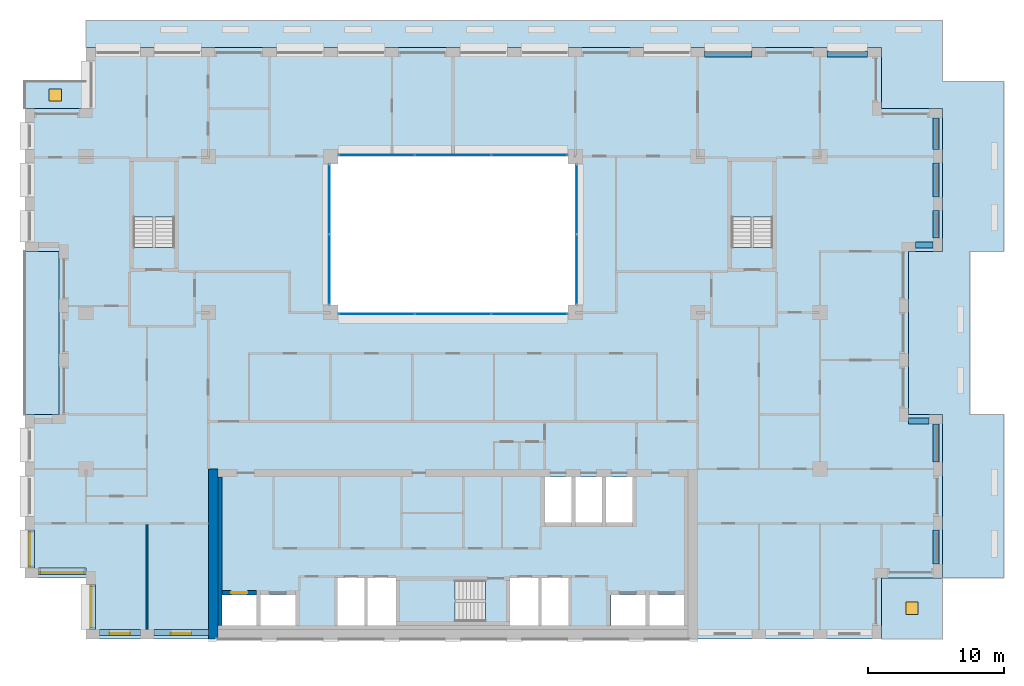
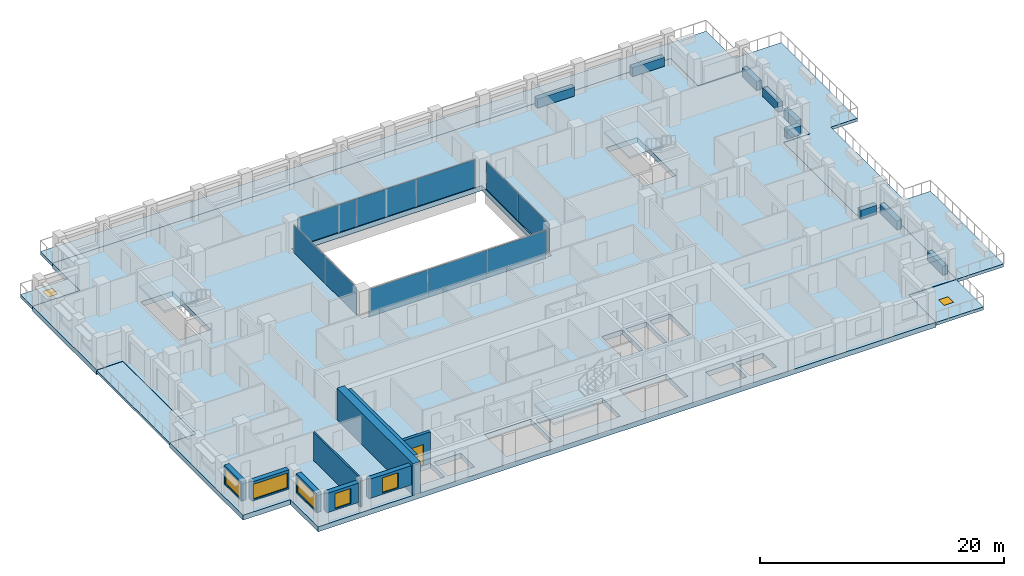
# One storey, part 7 of 17: 10 plates, 9 beams, 9 walls, 8 slabs, 7 windows, 1 door, 8 openings, 7 elements without a shape of their own.
"""IFC4 building model written with IfcOpenShell, lengths in metres."""

from ifc_helpers import new_model, si_unit, direction, frame, frame_2d, origin, origin_2d, place, context, subcontext, project, spatial, polyline, rectangle, outline, extrude, material, layer, layer_set, material_profile, profile_set, type_object, element, fill, aggregate, save


model = new_model("IFC4")

# Units and contexts
model_context = context("Model", 3, precision=1e-05, world=origin(), true_north=direction((0.0, 1.0)))
body_context = subcontext(model_context, "Body", "Model", "MODEL_VIEW")
ifc_project = project(units=[si_unit("LENGTHUNIT", "METRE"), si_unit("AREAUNIT", "SQUARE_METRE"), si_unit("VOLUMEUNIT", "CUBIC_METRE"), si_unit("PLANEANGLEUNIT", "RADIAN"), si_unit("MASSUNIT", "GRAM", prefix="KILO")], contexts=[model_context])

# Site, building, storey
site_placement = place(None, origin())
site = spatial("IfcSite", under=ifc_project, at=site_placement, CompositionType="ELEMENT")
building_placement = place(site_placement, origin())
building = spatial("IfcBuilding", under=site, at=building_placement, Name="Brigalow Station Residences", CompositionType="ELEMENT")
storey_placement = place(building_placement, frame((0.0, 0.0, 141.300048828125)))
storey = spatial("IfcBuildingStorey", under=building, at=storey_placement, Name="L40", CompositionType="ELEMENT", Elevation=141.300048828125)

# Beams
ifc_material_1 = material(Name="Concrete C50", Category="concrete")
ifc_material_profile = material_profile(ifc_material_1, rectangle(XDim=0.449951171875, YDim=0.89990234375, at=origin_2d()), Name="RC450x900")
ifc_profile_set = profile_set([ifc_material_profile], Name="Concrete C50")
beam_type = type_object("IfcBeamType", Name="SPANDREL BEAM 450x900 C50", PredefinedType="SPANDREL", material=ifc_profile_set)
beam_1_placement = place(storey_placement, frame((71.52490234375, 5.5, 0.449951171875), z_axis=(0.0, 1.0, 0.0), x_axis=(-1.0, 0.0, 0.0)))
element("IfcBeam", 1, at=beam_1_placement, inside=storey, type_object=beam_type, Name="L40/spandrel/W-L40-9", PredefinedType="SPANDREL", context=body_context, shape_type="SweptSolid", body=[
    extrude(rectangle(XDim=0.449951171875, YDim=0.89990234375, at=origin_2d()), origin(), (0.0, 0.0, 1.0), 2.5),
])
beam_2_placement = place(storey_placement, frame((71.52490234375, 13.0, 0.449951171875), z_axis=(0.0, 1.0, 0.0), x_axis=(-1.0, 0.0, 0.0)))
element("IfcBeam", 2, at=beam_2_placement, inside=storey, type_object=beam_type, Name="L40/spandrel/W-L40-11", PredefinedType="SPANDREL", context=body_context, shape_type="SweptSolid", body=[
    extrude(rectangle(XDim=0.449951171875, YDim=0.89990234375, at=origin_2d()), origin(), (0.0, 0.0, 1.0), 2.800048828125),
])
beam_3_placement = place(storey_placement, frame((71.0, 16.02490234375, 0.449951171875), z_axis=(-1.0, 0.0, 0.0), x_axis=(0.0, -1.0, 0.0)))
element("IfcBeam", 3, at=beam_3_placement, inside=storey, type_object=beam_type, Name="L40/spandrel/W-L40-12", PredefinedType="SPANDREL", context=body_context, shape_type="SweptSolid", body=[
    extrude(rectangle(XDim=0.449951171875, YDim=0.89990234375, at=origin_2d()), origin(), (0.0, 0.0, 1.0), 1.5),
])
beam_4_placement = place(storey_placement, frame((70.0, 28.97509765625, 0.449951171875), z_axis=(1.0, 0.0, 0.0), x_axis=(0.0, 1.0, 0.0)))
element("IfcBeam", 4, at=beam_4_placement, inside=storey, type_object=beam_type, Name="L40/spandrel/W-L40-16", PredefinedType="SPANDREL", context=body_context, shape_type="SweptSolid", body=[
    extrude(rectangle(XDim=0.449951171875, YDim=0.89990234375, at=origin_2d()), origin(), (0.0, 0.0, 1.0), 1.300048828125),
])
beam_5_placement = place(storey_placement, frame((71.52490234375, 29.5, 0.449951171875), z_axis=(0.0, 1.0, 0.0), x_axis=(-1.0, 0.0, 0.0)))
element("IfcBeam", 5, at=beam_5_placement, inside=storey, type_object=beam_type, Name="L40/spandrel/W-L40-17", PredefinedType="SPANDREL", context=body_context, shape_type="SweptSolid", body=[
    extrude(rectangle(XDim=0.449951171875, YDim=0.89990234375, at=origin_2d()), origin(), (0.0, 0.0, 1.0), 2.0),
])
beam_6_placement = place(storey_placement, frame((71.52490234375, 32.5, 0.449951171875), z_axis=(0.0, 1.0, 0.0), x_axis=(-1.0, 0.0, 0.0)))
element("IfcBeam", 6, at=beam_6_placement, inside=storey, type_object=beam_type, Name="L40/spandrel/W-L40-18", PredefinedType="SPANDREL", context=body_context, shape_type="SweptSolid", body=[
    extrude(rectangle(XDim=0.449951171875, YDim=0.89990234375, at=origin_2d()), origin(), (0.0, 0.0, 1.0), 2.5),
])
beam_7_placement = place(storey_placement, frame((71.52490234375, 36.0, 0.449951171875), z_axis=(0.0, 1.0, 0.0), x_axis=(-1.0, 0.0, 0.0)))
element("IfcBeam", 7, at=beam_7_placement, inside=storey, type_object=beam_type, Name="L40/spandrel/W-L40-19", PredefinedType="SPANDREL", context=body_context, shape_type="SweptSolid", body=[
    extrude(rectangle(XDim=0.449951171875, YDim=0.89990234375, at=origin_2d()), origin(), (0.0, 0.0, 1.0), 2.300048828125),
])
beam_8_placement = place(storey_placement, frame((66.5, 43.02490234375, 0.449951171875), z_axis=(-1.0, 0.0, 0.0), x_axis=(0.0, -1.0, 0.0)))
element("IfcBeam", 8, at=beam_8_placement, inside=storey, type_object=beam_type, Name="L40/spandrel/W-L40-22", PredefinedType="SPANDREL", context=body_context, shape_type="SweptSolid", body=[
    extrude(rectangle(XDim=0.449951171875, YDim=0.89990234375, at=origin_2d()), origin(), (0.0, 0.0, 1.0), 3.0),
])
beam_9_placement = place(storey_placement, frame((58.0, 43.02490234375, 0.449951171875), z_axis=(-1.0, 0.0, 0.0), x_axis=(0.0, -1.0, 0.0)))
element("IfcBeam", 9, at=beam_9_placement, inside=storey, type_object=beam_type, Name="L40/spandrel/W-L40-24", PredefinedType="SPANDREL", context=body_context, shape_type="SweptSolid", body=[
    extrude(rectangle(XDim=0.449951171875, YDim=0.89990234375, at=origin_2d()), origin(), (0.0, 0.0, 1.0), 3.5),
])

# Curtain wall, plates
ifc_material_2 = material(Name="Aluminium", Category="aluminium")
ifc_layer_1 = layer(ifc_material_2, 0.14990234375)
ifc_layer_set_1 = layer_set([ifc_layer_1], Name="ATRIUM FIRE-RATED GLAZING CURTAIN WALL")
curtain_wall_type = type_object("IfcCurtainWallType", Name="ATRIUM FIRE-RATED GLAZING CURTAIN WALL", PredefinedType="NOTDEFINED", material=ifc_layer_set_1)
curtain_wall_1_placement = place(storey_placement, origin())
curtain_wall_1 = element("IfcCurtainWall", 10, at=curtain_wall_1_placement, inside=storey, type_object=curtain_wall_type, Name="L40/cw/atrium-S", PredefinedType="NOTDEFINED")
ifc_material_3 = material(Name="Fire-resisting laminated glazing, FRL -/60/-", Category="glass")
ifc_layer_2 = layer(ifc_material_3, 0.031982421875)
ifc_layer_set_2 = layer_set([ifc_layer_2], Name="ATRIUM FIRE-RATED GLAZING PANEL 32")
plate_type = type_object("IfcPlateType", Name="ATRIUM FIRE-RATED GLAZING PANEL 32", PredefinedType="CURTAIN_PANEL", material=ifc_layer_set_2)
plate_1_placement = place(storey_placement, frame((30.381591796875, 23.89990234375, 0.0), z_axis=(0.0, 0.0, 1.0), x_axis=(1.0, 0.0, 0.0)))
plate_1 = element("IfcPlate", 11, at=plate_1_placement, type_object=plate_type, Name="L40/cw/atrium-S/P00-00", PredefinedType="CURTAIN_PANEL", context=body_context, shape_type="SweptSolid", body=[
    extrude(rectangle(XDim=5.543212890625, YDim=0.031982421875, at=origin_2d()), origin(), (0.0, 0.0, 1.0), 2.77001953125),
])
plate_2_placement = place(storey_placement, frame((36.0, 23.89990234375, 0.0), z_axis=(0.0, 0.0, 1.0), x_axis=(1.0, 0.0, 0.0)))
plate_2 = element("IfcPlate", 12, at=plate_2_placement, type_object=plate_type, Name="L40/cw/atrium-S/P01-00", PredefinedType="CURTAIN_PANEL", context=body_context, shape_type="SweptSolid", body=[
    extrude(rectangle(XDim=5.5732421875, YDim=0.031982421875, at=origin_2d()), origin(), (0.0, 0.0, 1.0), 2.77001953125),
])
plate_3_placement = place(storey_placement, frame((41.618408203125, 23.89990234375, 0.0), z_axis=(0.0, 0.0, 1.0), x_axis=(1.0, 0.0, 0.0)))
plate_3 = element("IfcPlate", 13, at=plate_3_placement, type_object=plate_type, Name="L40/cw/atrium-S/P02-00", PredefinedType="CURTAIN_PANEL", context=body_context, shape_type="SweptSolid", body=[
    extrude(rectangle(XDim=5.543212890625, YDim=0.031982421875, at=origin_2d()), origin(), (0.0, 0.0, 1.0), 2.77001953125),
])
aggregate(curtain_wall_1, [plate_1, plate_2, plate_3])

curtain_wall_2_placement = place(storey_placement, origin())
curtain_wall_2 = element("IfcCurtainWall", 14, at=curtain_wall_2_placement, inside=storey, type_object=curtain_wall_type, Name="L40/cw/atrium-E", PredefinedType="NOTDEFINED")
plate_4_placement = place(storey_placement, frame((45.10009765625, 27.1650390625, 0.0), z_axis=(0.0, 0.0, 1.0), x_axis=(0.0, 1.0, 0.0)))
plate_4 = element("IfcPlate", 15, at=plate_4_placement, type_object=plate_type, Name="L40/cw/atrium-E/P00-00", PredefinedType="CURTAIN_PANEL", context=body_context, shape_type="SweptSolid", body=[
    extrude(rectangle(XDim=5.110107421875, YDim=0.031982421875, at=origin_2d()), origin(), (0.0, 0.0, 1.0), 2.77001953125),
])
plate_5_placement = place(storey_placement, frame((45.10009765625, 32.3349609375, 0.0), z_axis=(0.0, 0.0, 1.0), x_axis=(0.0, 1.0, 0.0)))
plate_5 = element("IfcPlate", 16, at=plate_5_placement, type_object=plate_type, Name="L40/cw/atrium-E/P01-00", PredefinedType="CURTAIN_PANEL", context=body_context, shape_type="SweptSolid", body=[
    extrude(rectangle(XDim=5.110107421875, YDim=0.031982421875, at=origin_2d()), origin(), (0.0, 0.0, 1.0), 2.77001953125),
])
aggregate(curtain_wall_2, [plate_4, plate_5])

curtain_wall_3_placement = place(storey_placement, origin())
curtain_wall_3 = element("IfcCurtainWall", 17, at=curtain_wall_3_placement, inside=storey, type_object=curtain_wall_type, Name="L40/cw/atrium-N", PredefinedType="NOTDEFINED")
plate_6_placement = place(storey_placement, frame((41.618408203125, 35.60009765625, 0.0), z_axis=(0.0, 0.0, 1.0), x_axis=(-1.0, 0.0, 0.0)))
plate_6 = element("IfcPlate", 18, at=plate_6_placement, type_object=plate_type, Name="L40/cw/atrium-N/P00-00", PredefinedType="CURTAIN_PANEL", context=body_context, shape_type="SweptSolid", body=[
    extrude(rectangle(XDim=5.543212890625, YDim=0.031982421875, at=origin_2d()), origin(), (0.0, 0.0, 1.0), 2.77001953125),
])
plate_7_placement = place(storey_placement, frame((36.0, 35.60009765625, 0.0), z_axis=(0.0, 0.0, 1.0), x_axis=(-1.0, 0.0, 0.0)))
plate_7 = element("IfcPlate", 19, at=plate_7_placement, type_object=plate_type, Name="L40/cw/atrium-N/P01-00", PredefinedType="CURTAIN_PANEL", context=body_context, shape_type="SweptSolid", body=[
    extrude(rectangle(XDim=5.5732421875, YDim=0.031982421875, at=origin_2d()), origin(), (0.0, 0.0, 1.0), 2.77001953125),
])
plate_8_placement = place(storey_placement, frame((30.381591796875, 35.60009765625, 0.0), z_axis=(0.0, 0.0, 1.0), x_axis=(-1.0, 0.0, 0.0)))
plate_8 = element("IfcPlate", 20, at=plate_8_placement, type_object=plate_type, Name="L40/cw/atrium-N/P02-00", PredefinedType="CURTAIN_PANEL", context=body_context, shape_type="SweptSolid", body=[
    extrude(rectangle(XDim=5.543212890625, YDim=0.031982421875, at=origin_2d()), origin(), (0.0, 0.0, 1.0), 2.77001953125),
])
aggregate(curtain_wall_3, [plate_6, plate_7, plate_8])

curtain_wall_4_placement = place(storey_placement, origin())
curtain_wall_4 = element("IfcCurtainWall", 21, at=curtain_wall_4_placement, inside=storey, type_object=curtain_wall_type, Name="L40/cw/atrium-W", PredefinedType="NOTDEFINED")
plate_9_placement = place(storey_placement, frame((26.89990234375, 32.3349609375, 0.0), z_axis=(0.0, 0.0, 1.0), x_axis=(0.0, -1.0, 0.0)))
plate_9 = element("IfcPlate", 22, at=plate_9_placement, type_object=plate_type, Name="L40/cw/atrium-W/P00-00", PredefinedType="CURTAIN_PANEL", context=body_context, shape_type="SweptSolid", body=[
    extrude(rectangle(XDim=5.110107421875, YDim=0.031982421875, at=origin_2d()), origin(), (0.0, 0.0, 1.0), 2.77001953125),
])
plate_10_placement = place(storey_placement, frame((26.89990234375, 27.1650390625, 0.0), z_axis=(0.0, 0.0, 1.0), x_axis=(0.0, -1.0, 0.0)))
plate_10 = element("IfcPlate", 23, at=plate_10_placement, type_object=plate_type, Name="L40/cw/atrium-W/P01-00", PredefinedType="CURTAIN_PANEL", context=body_context, shape_type="SweptSolid", body=[
    extrude(rectangle(XDim=5.110107421875, YDim=0.031982421875, at=origin_2d()), origin(), (0.0, 0.0, 1.0), 2.77001953125),
])
aggregate(curtain_wall_4, [plate_9, plate_10])

# Slabs
ifc_material_4 = material(Name="Concrete C50 precast", Category="concrete")
ifc_layer_3 = layer(ifc_material_4, 0.25)
ifc_layer_set_3 = layer_set([ifc_layer_3], Name="BALCONY SLAB 250")
slab_type_1 = type_object("IfcSlabType", Name="BALCONY SLAB 250", PredefinedType="USERDEFINED", material=ifc_layer_set_3)
slab_1_placement = place(storey_placement, frame((0.0, 0.0, -0.2900390625)))
element("IfcSlab", 24, at=slab_1_placement, inside=storey, type_object=slab_type_1, Name="L40/balcony/1", ObjectType="BALCONY", PredefinedType="USERDEFINED", context=body_context, shape_type="SweptSolid", body=[
    extrude(outline(polyline([(7.0, 28.5), (4.5, 28.5), (4.5, 16.5), (7.0, 16.5), (7.0, 28.5)])), origin(), (0.0, 0.0, 1.0), 0.25),
])
ifc_material_5 = material(Name="Concrete C50", Category="concrete")
ifc_layer_4 = layer(ifc_material_5, 0.5)
ifc_layer_set_4 = layer_set([ifc_layer_4], Name="POST-TENSIONED FLAT PLATE 500 C50")
slab_type_2 = type_object("IfcSlabType", Name="POST-TENSIONED FLAT PLATE 500 C50", PredefinedType="FLOOR", material=ifc_layer_set_4)
slab_2_placement = place(storey_placement, frame((0.0, 0.0, -0.5)))
element("IfcSlab", 25, at=slab_2_placement, inside=storey, type_object=slab_type_2, Name="FLOOR SLAB L40", PredefinedType="FLOOR", context=body_context, shape_type="SweptSolid", body=[
    extrude(outline(polyline([(9.0, 0.0), (67.5, 0.0), (67.5, 4.5), (72.0, 4.5), (72.0, 16.5), (69.5, 16.5), (69.5, 28.5), (72.0, 28.5), (72.0, 39.0), (67.5, 39.0), (67.5, 43.5), (9.0, 43.5), (9.0, 39.0), (4.5, 39.0), (4.5, 28.5), (7.0, 28.5), (7.0, 16.5), (4.5, 16.5), (4.5, 4.5), (9.0, 4.5), (9.0, 0.0)]), holes=[polyline([(12.5048828125, 35.094970703125), (15.4951171875, 35.094970703125), (15.4951171875, 28.804931640625), (12.5048828125, 28.804931640625), (12.5048828125, 35.094970703125)]), polyline([(19.0, 1.0), (19.0, 3.25), (21.550048828125, 3.25), (21.550048828125, 1.0), (19.0, 1.0)]), polyline([(21.85009765625, 3.25), (24.39990234375, 3.25), (24.39990234375, 1.0), (21.85009765625, 1.0), (21.85009765625, 3.25)]), polyline([(27.0, 35.5), (45.0, 35.5), (45.0, 24.0), (27.0, 24.0), (27.0, 35.5)]), polyline([(29.60009765625, 4.60009765625), (31.800048828125, 4.60009765625), (31.800048828125, 1.0), (29.60009765625, 1.0), (27.39990234375, 1.0), (27.39990234375, 4.60009765625), (29.60009765625, 4.60009765625)]), polyline([(32.10498046875, 4.294921875), (38.39501953125, 4.294921875), (38.39501953125, 1.304931640625), (32.10498046875, 1.304931640625), (32.10498046875, 4.294921875)]), polyline([(40.199951171875, 4.60009765625), (42.39990234375, 4.60009765625), (44.60009765625, 4.60009765625), (44.60009765625, 1.0), (42.39990234375, 1.0), (40.199951171875, 1.0), (40.199951171875, 4.60009765625)]), polyline([(42.75, 11.89990234375), (44.699951171875, 11.89990234375), (44.699951171875, 8.550048828125), (42.75, 8.550048828125), (42.75, 11.89990234375)]), polyline([(45.0, 11.89990234375), (46.949951171875, 11.89990234375), (46.949951171875, 8.550048828125), (45.0, 8.550048828125), (45.0, 11.89990234375)]), polyline([(47.25, 11.89990234375), (49.199951171875, 11.89990234375), (49.199951171875, 8.550048828125), (47.25, 8.550048828125), (47.25, 11.89990234375)]), polyline([(47.60009765625, 3.25), (50.14990234375, 3.25), (50.14990234375, 1.0), (47.60009765625, 1.0), (47.60009765625, 3.25)]), polyline([(50.449951171875, 3.25), (53.0, 3.25), (53.0, 1.0), (50.449951171875, 1.0), (50.449951171875, 3.25)]), polyline([(56.5048828125, 35.094970703125), (59.4951171875, 35.094970703125), (59.4951171875, 28.804931640625), (56.5048828125, 28.804931640625), (56.5048828125, 35.094970703125)])]), origin(), (0.0, 0.0, 1.0), 0.5),
])

# Stair, slab
ifc_material_6 = material(Name="Concrete C50", Category="concrete")
stair_type = type_object("IfcStairType", Name="EXIT STAIR 1400 2 FLIGHT", PredefinedType="HALF_TURN_STAIR", material=ifc_material_6)
stair_1_placement = place(storey_placement, origin())
stair_1 = element("IfcStair", 26, at=stair_1_placement, inside=storey, type_object=stair_type, Name="EXIT STAIR S2 L40", PredefinedType="HALF_TURN_STAIR")
ifc_material_7 = material(Name="Concrete C50", Category="concrete")
ifc_layer_5 = layer(ifc_material_7, 0.199951171875)
ifc_layer_set_5 = layer_set([ifc_layer_5], Name="STAIR LANDING 200")
slab_type_3 = type_object("IfcSlabType", Name="STAIR LANDING 200", PredefinedType="LANDING", material=ifc_layer_set_5)
slab_3_placement = place(storey_placement, frame((0.0, 0.0, 1.375)))
slab_3 = element("IfcSlab", 27, at=slab_3_placement, type_object=slab_type_3, Name="ST-2 landing 1", PredefinedType="LANDING", context=body_context, shape_type="SweptSolid", body=[
    extrude(outline(polyline([(32.0, 1.199951171875), (36.159912109375, 1.199951171875), (36.159912109375, 4.39990234375), (32.0, 4.39990234375), (32.0, 1.199951171875)])), origin(), (0.0, 0.0, 1.0), 0.199951171875),
])
aggregate(stair_1, [slab_3])

stair_2_placement = place(storey_placement, origin())
stair_2 = element("IfcStair", 28, at=stair_2_placement, inside=storey, type_object=stair_type, Name="EXIT STAIR S1 L40", PredefinedType="HALF_TURN_STAIR")
slab_4_placement = place(storey_placement, frame((0.0, 0.0, 1.375)))
slab_4 = element("IfcSlab", 29, at=slab_4_placement, type_object=slab_type_3, Name="ST-1 landing 1", PredefinedType="LANDING", context=body_context, shape_type="SweptSolid", body=[
    extrude(outline(polyline([(12.39990234375, 31.0400390625), (15.60009765625, 31.0400390625), (15.60009765625, 35.199951171875), (12.39990234375, 35.199951171875), (12.39990234375, 31.0400390625)])), origin(), (0.0, 0.0, 1.0), 0.199951171875),
])
aggregate(stair_2, [slab_4])

stair_3_placement = place(storey_placement, origin())
stair_3 = element("IfcStair", 30, at=stair_3_placement, inside=storey, type_object=stair_type, Name="EXIT STAIR S3 L40", PredefinedType="HALF_TURN_STAIR")
slab_5_placement = place(storey_placement, frame((0.0, 0.0, 1.375)))
slab_5 = element("IfcSlab", 31, at=slab_5_placement, type_object=slab_type_3, Name="ST-3 landing 1", PredefinedType="LANDING", context=body_context, shape_type="SweptSolid", body=[
    extrude(outline(polyline([(56.39990234375, 31.0400390625), (59.60009765625, 31.0400390625), (59.60009765625, 35.199951171875), (56.39990234375, 35.199951171875), (56.39990234375, 31.0400390625)])), origin(), (0.0, 0.0, 1.0), 0.199951171875),
])
aggregate(stair_3, [slab_5])

# Slab, opening, window
ifc_material_8 = material(Name="Concrete C50 precast", Category="concrete")
ifc_layer_6 = layer(ifc_material_8, 0.300048828125)
ifc_layer_set_6 = layer_set([ifc_layer_6], Name="TERRACE SLAB 300")
slab_type_4 = type_object("IfcSlabType", Name="TERRACE SLAB 300", PredefinedType="FLOOR", material=ifc_layer_set_6)
slab_6_placement = place(storey_placement, frame((0.0, 0.0, -0.340087890625)))
slab_6 = element("IfcSlab", 32, at=slab_6_placement, inside=storey, type_object=slab_type_4, Name="L40/terrace/1", PredefinedType="FLOOR", context=body_context, shape_type="SweptSolid", body=[
    extrude(outline(polyline([(4.5, 39.0), (9.0, 39.0), (9.0, 41.0), (4.5, 41.0), (4.5, 39.0)])), origin(), (0.0, 0.0, 1.0), 0.300048828125),
])
opening_1_placement = place(slab_6_placement, frame((6.75, 40.0, 0.0)))
opening_1 = element("IfcOpeningElement", 33, at=opening_1_placement, cuts=slab_6, Name="Opening RF-1", PredefinedType="OPENING", context=body_context, shape_type="SweptSolid", body=[
    extrude(rectangle(XDim=0.89990234375, YDim=0.89990234375, at=origin_2d()), origin(), (0.0, 0.0, 1.0), 0.300048828125),
])
ifc_material_9 = material(Name="Laminated walkable glass in an aluminium frame", Category="aluminium")
window_type_1 = type_object("IfcWindowType", Name="TERRACE ROOFLIGHT 900", PartitioningType="SINGLE_PANEL", PredefinedType="SKYLIGHT", material=ifc_material_9)
window_1_placement = place(opening_1_placement, frame((0.0, 0.0, 0.25)))
window_1 = element("IfcWindow", 34, at=window_1_placement, inside=storey, type_object=window_type_1, Name="L40/terrace-rooflight/1", OverallHeight=0.89990234375, OverallWidth=0.89990234375, PartitioningType="SINGLE_PANEL", PredefinedType="SKYLIGHT", context=body_context, shape_type="SweptSolid", body=[
    extrude(rectangle(XDim=0.89990234375, YDim=0.89990234375, at=origin_2d()), origin(), (0.0, 0.0, 1.0), 0.050048828125),
])
fill(opening_1, window_1)

# Slab
slab_7_placement = place(storey_placement, frame((0.0, 0.0, -0.340087890625)))
element("IfcSlab", 35, at=slab_7_placement, inside=storey, type_object=slab_type_4, Name="L40/terrace/2", PredefinedType="FLOOR", context=body_context, shape_type="SweptSolid", body=[
    extrude(outline(polyline([(9.0, 43.5), (67.5, 43.5), (67.5, 39.0), (72.0, 39.0), (72.0, 28.5), (69.5, 28.5), (69.5, 16.5), (72.0, 16.5), (72.0, 4.5), (76.5, 4.5), (76.5, 16.5), (74.0, 16.5), (74.0, 28.5), (76.5, 28.5), (76.5, 41.0), (72.0, 41.0), (72.0, 45.5), (9.0, 45.5), (9.0, 43.5)])), origin(), (0.0, 0.0, 1.0), 0.300048828125),
])

# Slab, opening, window
slab_8_placement = place(storey_placement, frame((0.0, 0.0, -0.340087890625)))
slab_8 = element("IfcSlab", 36, at=slab_8_placement, inside=storey, type_object=slab_type_4, Name="L40/terrace/3", PredefinedType="FLOOR", context=body_context, shape_type="SweptSolid", body=[
    extrude(outline(polyline([(72.0, 4.5), (67.5, 4.5), (67.5, 0.0), (72.0, 0.0), (72.0, 4.5)])), origin(), (0.0, 0.0, 1.0), 0.300048828125),
])
opening_2_placement = place(slab_8_placement, frame((69.75, 2.25, 0.0)))
opening_2 = element("IfcOpeningElement", 37, at=opening_2_placement, cuts=slab_8, Name="Opening RF-3", PredefinedType="OPENING", context=body_context, shape_type="SweptSolid", body=[
    extrude(rectangle(XDim=0.89990234375, YDim=0.89990234375, at=origin_2d()), origin(), (0.0, 0.0, 1.0), 0.300048828125),
])
window_2_placement = place(opening_2_placement, frame((0.0, 0.0, 0.25)))
window_2 = element("IfcWindow", 38, at=window_2_placement, inside=storey, type_object=window_type_1, Name="L40/terrace-rooflight/3", OverallHeight=0.89990234375, OverallWidth=0.89990234375, PartitioningType="SINGLE_PANEL", PredefinedType="SKYLIGHT", context=body_context, shape_type="SweptSolid", body=[
    extrude(rectangle(XDim=0.89990234375, YDim=0.89990234375, at=origin_2d()), origin(), (0.0, 0.0, 1.0), 0.050048828125),
])
fill(opening_2, window_2)

# Wall, opening, window
ifc_material_10 = material(Name="Clay brick masonry", Category="masonry")
ifc_layer_7 = layer(ifc_material_10, 0.449951171875)
ifc_layer_set_7 = layer_set([ifc_layer_7], Name="BRICK INFILL WALL 450")
wall_type_1 = type_object("IfcWallType", Name="BRICK INFILL WALL 450", PredefinedType="SOLIDWALL", material=ifc_layer_set_7)
wall_1_placement = place(storey_placement, frame((10.0, 0.47509765625, 0.89990234375), z_axis=(0.0, 0.0, 1.0), x_axis=(1.0, 0.0, 0.0)))
wall_1 = element("IfcWall", 39, at=wall_1_placement, inside=storey, type_object=wall_type_1, Name="L40/ewall/W-L40-1", PredefinedType="SOLIDWALL", context=body_context, shape_type="SweptSolid", body=[
    extrude(rectangle(XDim=3.0, YDim=0.449951171875, at=frame_2d((1.5, 0.0))), origin(), (0.0, 0.0, 1.0), 1.929931640625),
])
opening_3_placement = place(wall_1_placement, frame((0.75, 0.0, 0.14990234375)))
opening_3 = element("IfcOpeningElement", 40, at=opening_3_placement, cuts=wall_1, Name="Opening WT-1", PredefinedType="OPENING", context=body_context, shape_type="SweptSolid", body=[
    extrude(rectangle(XDim=1.5, YDim=1.5, at=frame_2d((0.75, 0.75))), frame((0.0, 0.23486328125, 0.0), z_axis=(0.0, -1.0, 0.0), x_axis=(1.0, 0.0, 0.0)), (0.0, 0.0, 1.0), 0.469970703125),
])
ifc_material_11 = material(Name="Anodised aluminium frame with double glazing", Category="aluminium")
window_type_2 = type_object("IfcWindowType", Name="WINDOW 1500x1500", PartitioningType="SINGLE_PANEL", PredefinedType="WINDOW", material=ifc_material_11)
window_3_placement = place(opening_3_placement, origin())
window_3 = element("IfcWindow", 41, at=window_3_placement, inside=storey, type_object=window_type_2, Name="L40/window/W-L40-1", OverallHeight=1.5, OverallWidth=1.5, PartitioningType="SINGLE_PANEL", PredefinedType="WINDOW", context=body_context, shape_type="SweptSolid", body=[
    extrude(rectangle(XDim=1.5, YDim=1.5, at=frame_2d((0.75, 0.75))), frame((0.0, -0.06494140625, 0.0), z_axis=(0.0, -1.0, 0.0), x_axis=(1.0, 0.0, 0.0)), (0.0, 0.0, 1.0), 0.06005859375),
])
fill(opening_3, window_3)

wall_2_placement = place(storey_placement, frame((14.0, 0.47509765625, 0.89990234375), z_axis=(0.0, 0.0, 1.0), x_axis=(1.0, 0.0, 0.0)))
wall_2 = element("IfcWall", 42, at=wall_2_placement, inside=storey, type_object=wall_type_1, Name="L40/ewall/W-L40-2", PredefinedType="SOLIDWALL", context=body_context, shape_type="SweptSolid", body=[
    extrude(rectangle(XDim=4.0, YDim=0.449951171875, at=frame_2d((2.0, 0.0))), origin(), (0.0, 0.0, 1.0), 1.929931640625),
])
opening_4_placement = place(wall_2_placement, frame((1.25, 0.0, 0.14990234375)))
opening_4 = element("IfcOpeningElement", 43, at=opening_4_placement, cuts=wall_2, Name="Opening WT-1", PredefinedType="OPENING", context=body_context, shape_type="SweptSolid", body=[
    extrude(rectangle(XDim=1.5, YDim=1.5, at=frame_2d((0.75, 0.75))), frame((0.0, 0.23486328125, 0.0), z_axis=(0.0, -1.0, 0.0), x_axis=(1.0, 0.0, 0.0)), (0.0, 0.0, 1.0), 0.469970703125),
])
window_4_placement = place(opening_4_placement, origin())
window_4 = element("IfcWindow", 44, at=window_4_placement, inside=storey, type_object=window_type_2, Name="L40/window/W-L40-2", OverallHeight=1.5, OverallWidth=1.5, PartitioningType="SINGLE_PANEL", PredefinedType="WINDOW", context=body_context, shape_type="SweptSolid", body=[
    extrude(rectangle(XDim=1.5, YDim=1.5, at=frame_2d((0.75, 0.75))), frame((0.0, -0.06494140625, 0.0), z_axis=(0.0, -1.0, 0.0), x_axis=(1.0, 0.0, 0.0)), (0.0, 0.0, 1.0), 0.06005859375),
])
fill(opening_4, window_4)

wall_3_placement = place(storey_placement, frame((4.97509765625, 8.0, 0.89990234375), z_axis=(0.0, 0.0, 1.0), x_axis=(0.0, -1.0, 0.0)))
wall_3 = element("IfcWall", 45, at=wall_3_placement, inside=storey, type_object=wall_type_1, Name="L40/ewall/W-L40-47", PredefinedType="SOLIDWALL", context=body_context, shape_type="SweptSolid", body=[
    extrude(rectangle(XDim=2.800048828125, YDim=0.449951171875, at=frame_2d((1.39990234375, 0.0))), origin(), (0.0, 0.0, 1.0), 1.929931640625),
])
opening_5_placement = place(wall_3_placement, frame((0.14990234375, 0.0, 0.14990234375)))
opening_5 = element("IfcOpeningElement", 46, at=opening_5_placement, cuts=wall_3, Name="Opening WT-5", PredefinedType="OPENING", context=body_context, shape_type="SweptSolid", body=[
    extrude(rectangle(XDim=2.5, YDim=1.5, at=frame_2d((1.25, 0.75))), frame((0.0, 0.23486328125, 0.0), z_axis=(0.0, -1.0, 0.0), x_axis=(1.0, 0.0, 0.0)), (0.0, 0.0, 1.0), 0.469970703125),
])
ifc_material_12 = material(Name="Anodised aluminium frame with double glazing", Category="aluminium")
window_type_3 = type_object("IfcWindowType", Name="WINDOW 2500x1500", PartitioningType="SINGLE_PANEL", PredefinedType="WINDOW", material=ifc_material_12)
window_5_placement = place(opening_5_placement, origin())
window_5 = element("IfcWindow", 47, at=window_5_placement, inside=storey, type_object=window_type_3, Name="L40/window/W-L40-47", OverallHeight=1.5, OverallWidth=2.5, PartitioningType="SINGLE_PANEL", PredefinedType="WINDOW", context=body_context, shape_type="SweptSolid", body=[
    extrude(rectangle(XDim=2.5, YDim=1.5, at=frame_2d((1.25, 0.75))), frame((0.0, -0.06494140625, 0.0), z_axis=(0.0, -1.0, 0.0), x_axis=(1.0, 0.0, 0.0)), (0.0, 0.0, 1.0), 0.06005859375),
])
fill(opening_5, window_5)

wall_4_placement = place(storey_placement, frame((5.5, 4.97509765625, 0.89990234375), z_axis=(0.0, 0.0, 1.0), x_axis=(1.0, 0.0, 0.0)))
wall_4 = element("IfcWall", 48, at=wall_4_placement, inside=storey, type_object=wall_type_1, Name="L40/ewall/W-L40-48", PredefinedType="SOLIDWALL", context=body_context, shape_type="SweptSolid", body=[
    extrude(rectangle(XDim=3.5, YDim=0.449951171875, at=frame_2d((1.75, 0.0))), origin(), (0.0, 0.0, 1.0), 1.929931640625),
])
opening_6_placement = place(wall_4_placement, frame((0.14990234375, 0.0, 0.14990234375)))
opening_6 = element("IfcOpeningElement", 49, at=opening_6_placement, cuts=wall_4, Name="Opening WT-9", PredefinedType="OPENING", context=body_context, shape_type="SweptSolid", body=[
    extrude(rectangle(XDim=3.199951171875, YDim=1.5, at=frame_2d((1.60009765625, 0.75))), frame((0.0, 0.23486328125, 0.0), z_axis=(0.0, -1.0, 0.0), x_axis=(1.0, 0.0, 0.0)), (0.0, 0.0, 1.0), 0.469970703125),
])
ifc_material_13 = material(Name="Anodised aluminium frame with double glazing", Category="aluminium")
window_type_4 = type_object("IfcWindowType", Name="WINDOW 3200x1500", PartitioningType="SINGLE_PANEL", PredefinedType="WINDOW", material=ifc_material_13)
window_6_placement = place(opening_6_placement, origin())
window_6 = element("IfcWindow", 50, at=window_6_placement, inside=storey, type_object=window_type_4, Name="L40/window/W-L40-48", OverallHeight=1.5, OverallWidth=3.199951171875, PartitioningType="SINGLE_PANEL", PredefinedType="WINDOW", context=body_context, shape_type="SweptSolid", body=[
    extrude(rectangle(XDim=3.199951171875, YDim=1.5, at=frame_2d((1.60009765625, 0.75))), frame((0.0, -0.06494140625, 0.0), z_axis=(0.0, -1.0, 0.0), x_axis=(1.0, 0.0, 0.0)), (0.0, 0.0, 1.0), 0.06005859375),
])
fill(opening_6, window_6)

wall_5_placement = place(storey_placement, frame((9.47509765625, 4.0, 0.89990234375), z_axis=(0.0, 0.0, 1.0), x_axis=(0.0, -1.0, 0.0)))
wall_5 = element("IfcWall", 51, at=wall_5_placement, inside=storey, type_object=wall_type_1, Name="L40/ewall/W-L40-49", PredefinedType="SOLIDWALL", context=body_context, shape_type="SweptSolid", body=[
    extrude(rectangle(XDim=3.300048828125, YDim=0.449951171875, at=frame_2d((1.64990234375, 0.0))), origin(), (0.0, 0.0, 1.0), 1.929931640625),
])
opening_7_placement = place(wall_5_placement, frame((0.14990234375, 0.0, 0.14990234375)))
opening_7 = element("IfcOpeningElement", 52, at=opening_7_placement, cuts=wall_5, Name="Opening WT-2", PredefinedType="OPENING", context=body_context, shape_type="SweptSolid", body=[
    extrude(rectangle(XDim=3.0, YDim=1.5, at=frame_2d((1.5, 0.75))), frame((0.0, 0.23486328125, 0.0), z_axis=(0.0, -1.0, 0.0), x_axis=(1.0, 0.0, 0.0)), (0.0, 0.0, 1.0), 0.469970703125),
])
ifc_material_14 = material(Name="Anodised aluminium frame with double glazing", Category="aluminium")
window_type_5 = type_object("IfcWindowType", Name="WINDOW 3000x1500", PartitioningType="SINGLE_PANEL", PredefinedType="WINDOW", material=ifc_material_14)
window_7_placement = place(opening_7_placement, origin())
window_7 = element("IfcWindow", 53, at=window_7_placement, inside=storey, type_object=window_type_5, Name="L40/window/W-L40-49", OverallHeight=1.5, OverallWidth=3.0, PartitioningType="SINGLE_PANEL", PredefinedType="WINDOW", context=body_context, shape_type="SweptSolid", body=[
    extrude(rectangle(XDim=3.0, YDim=1.5, at=frame_2d((1.5, 0.75))), frame((0.0, -0.06494140625, 0.0), z_axis=(0.0, -1.0, 0.0), x_axis=(1.0, 0.0, 0.0)), (0.0, 0.0, 1.0), 0.06005859375),
])
fill(opening_7, window_7)

# Wall
ifc_material_15 = material(Name="Concrete C65", Category="concrete")
ifc_layer_8 = layer(ifc_material_15, 0.300048828125)
ifc_layer_set_8 = layer_set([ifc_layer_8], Name="CORE SHEAR WALL 300 C65")
wall_type_2 = type_object("IfcWallType", Name="CORE SHEAR WALL 300 C65", PredefinedType="SHEAR", material=ifc_layer_set_8)
wall_6_placement = place(storey_placement, frame((18.85009765625, 1.0, 0.0), z_axis=(0.0, 0.0, 1.0), x_axis=(0.0, 1.0, 0.0)))
element("IfcWall", 54, at=wall_6_placement, inside=storey, type_object=wall_type_2, Name="CORE WALL LIN-W L40", PredefinedType="SHEAR", context=body_context, shape_type="SweptSolid", body=[
    extrude(rectangle(XDim=10.89990234375, YDim=0.300048828125, at=frame_2d((5.449951171875, 0.0))), origin(), (0.0, 0.0, 1.0), 3.14990234375),
])

# Wall, opening, door
wall_7_placement = place(storey_placement, frame((19.0, 3.39990234375, 0.0), z_axis=(0.0, 0.0, 1.0), x_axis=(1.0, 0.0, 0.0)))
wall_7 = element("IfcWall", 55, at=wall_7_placement, inside=storey, type_object=wall_type_2, Name="CORE WALL SH-C1-N L40", PredefinedType="SHEAR", context=body_context, shape_type="SweptSolid", body=[
    extrude(rectangle(XDim=2.550048828125, YDim=0.300048828125, at=frame_2d((1.27490234375, 0.0))), origin(), (0.0, 0.0, 1.0), 3.14990234375),
])
opening_8_placement = place(wall_7_placement, frame((0.675048828125, 0.0, 0.0)))
opening_8 = element("IfcOpeningElement", 56, at=opening_8_placement, cuts=wall_7, Name="Opening LD-LB1", PredefinedType="OPENING", context=body_context, shape_type="SweptSolid", body=[
    extrude(rectangle(XDim=1.199951171875, YDim=2.10009765625, at=frame_2d((0.60009765625, 1.050048828125))), frame((0.0, 0.16015625, 0.0), z_axis=(0.0, -1.0, 0.0), x_axis=(1.0, 0.0, 0.0)), (0.0, 0.0, 1.0), 0.320068359375),
])
ifc_material_16 = material(Name="Stainless steel sliding door leaves", Category="steel")
door_type = type_object("IfcDoorType", Name="LIFT LANDING DOOR 1200 x 2100", OperationType="DOUBLE_DOOR_SLIDING", PredefinedType="DOOR", material=ifc_material_16)
door_placement = place(opening_8_placement, origin())
door = element("IfcDoor", 57, at=door_placement, inside=storey, type_object=door_type, Name="LANDING DOOR LB1", OperationType="DOUBLE_DOOR_SLIDING", OverallHeight=2.10009765625, OverallWidth=1.199951171875, PredefinedType="DOOR", context=body_context, shape_type="SweptSolid", body=[
    extrude(rectangle(XDim=1.199951171875, YDim=2.10009765625, at=frame_2d((0.60009765625, 1.050048828125))), frame((0.0, 0.02490234375, 0.0), z_axis=(0.0, -1.0, 0.0), x_axis=(1.0, 0.0, 0.0)), (0.0, 0.0, 1.0), 0.050048828125),
])
fill(opening_8, door)

# Walls
ifc_material_17 = material(Name="Concrete C65", Category="concrete")
ifc_layer_9 = layer(ifc_material_17, 0.699951171875)
ifc_layer_set_9 = layer_set([ifc_layer_9], Name="CORE SHEAR WALL 700 C65")
wall_type_3 = type_object("IfcWallType", Name="CORE SHEAR WALL 700 C65", PredefinedType="SHEAR", material=ifc_layer_set_9)
wall_8_placement = place(storey_placement, frame((18.35009765625, 0.0, 0.0), z_axis=(0.0, 0.0, 1.0), x_axis=(0.0, 1.0, 0.0)))
element("IfcWall", 58, at=wall_8_placement, inside=storey, type_object=wall_type_3, Name="CORE WALL OUT-W L40", PredefinedType="SHEAR", context=body_context, shape_type="SweptSolid", body=[
    extrude(rectangle(XDim=12.5, YDim=0.699951171875, at=frame_2d((6.25, 0.0))), origin(), (0.0, 0.0, 1.0), 3.14990234375),
])
ifc_material_18 = material(Name="Plasterboard on steel stud partition", Category="steel")
ifc_layer_10 = layer(ifc_material_18, 0.14990234375)
ifc_layer_set_10 = layer_set([ifc_layer_10], Name="FLAT PARTITION 150")
wall_type_4 = type_object("IfcWallType", Name="FLAT PARTITION 150", PredefinedType="PARTITIONING", material=ifc_layer_set_10)
wall_9_placement = place(storey_placement, frame((13.5, 0.699951171875, 0.0), z_axis=(0.0, 0.0, 1.0), x_axis=(0.0, 1.0, 0.0)))
element("IfcWall", 59, at=wall_9_placement, inside=storey, type_object=wall_type_4, Name="PW-3A38", PredefinedType="PARTITIONING", context=body_context, shape_type="SweptSolid", body=[
    extrude(rectangle(XDim=7.72509765625, YDim=0.14990234375, at=frame_2d((3.862548828125, 0.0))), origin(), (0.0, 0.0, 1.0), 2.829833984375),
])

save(model, "model.ifc")
